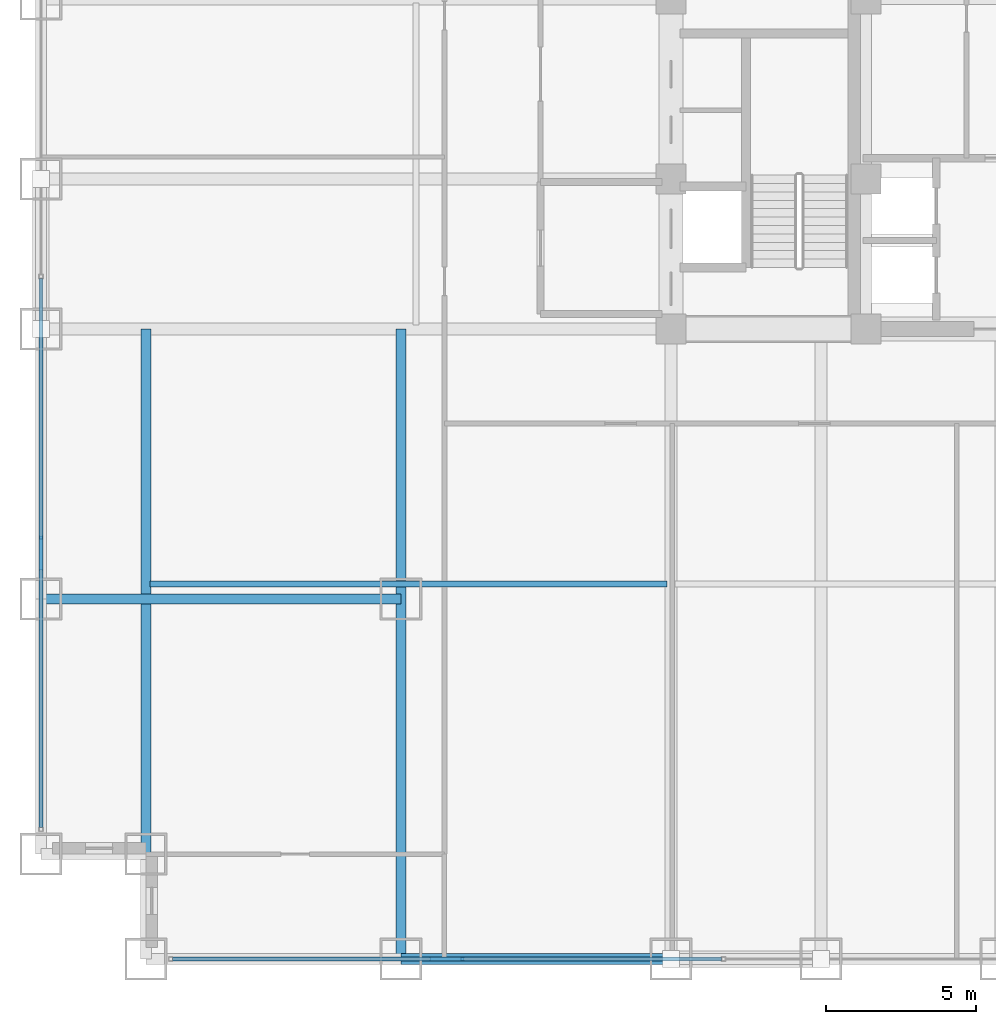
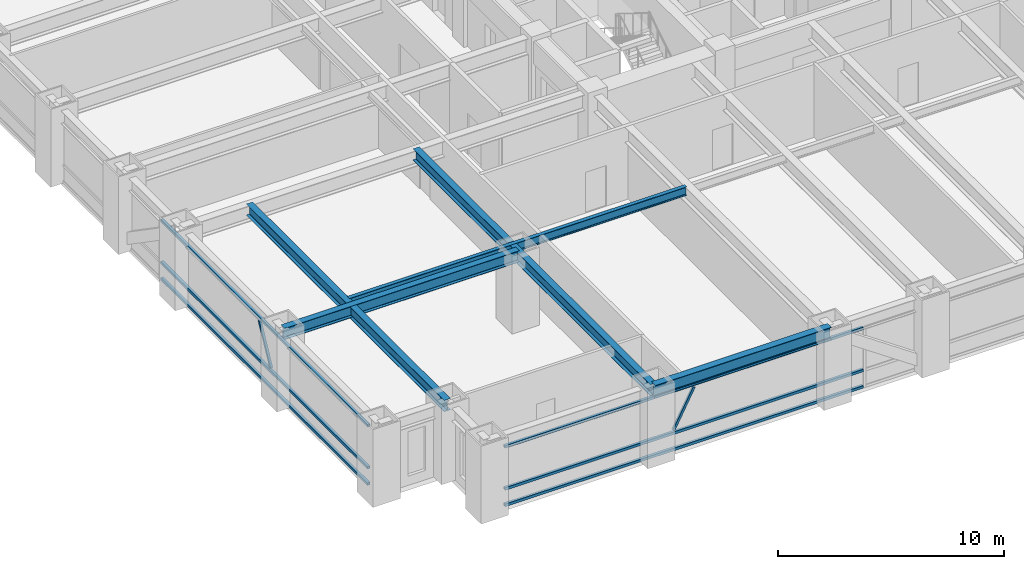
# One storey, part 3 of 27: 8 members, 5 beams, 2 elements without a shape of their own.
"""IFC4 building model written with IfcOpenShell, lengths in metres."""

from ifc_helpers import new_model, si_unit, direction, frame, origin, origin_2d, place, context, subcontext, project, spatial, hollow_rectangle, i_section, extrude, source, transform, mapped, material, material_profile, profile_set, type_object, element, aggregate, save


model = new_model("IFC4")

# Units and contexts
model_context = context("Model", 3, precision=1e-05, world=origin(), true_north=direction((0.0, 1.0)))
body_context = subcontext(model_context, "Body", "Model", "MODEL_VIEW")
ifc_project = project(units=[si_unit("LENGTHUNIT", "METRE"), si_unit("AREAUNIT", "SQUARE_METRE"), si_unit("VOLUMEUNIT", "CUBIC_METRE"), si_unit("PLANEANGLEUNIT", "RADIAN"), si_unit("MASSUNIT", "GRAM", prefix="KILO")], contexts=[model_context])

# Site, building, storey
site_placement = place(None, origin())
site = spatial("IfcSite", under=ifc_project, at=site_placement, CompositionType="ELEMENT")
building_placement = place(site_placement, origin())
building = spatial("IfcBuilding", under=site, at=building_placement, Name="Khorayat Bourse Tower", CompositionType="ELEMENT")
storey_placement = place(building_placement, frame((0.0, 0.0, 49.39990234375)))
storey = spatial("IfcBuildingStorey", under=building, at=storey_placement, Name="L10", CompositionType="ELEMENT", Elevation=49.39990234375)

# Beams
ifc_material_1 = material(Name="Steel ASTM A992 Grade 50", Category="steel")
ifc_material_profile_1 = material_profile(ifc_material_1, i_section(OverallWidth=0.35498046875, OverallDepth=0.695068359375, WebThickness=0.015380859375, FlangeThickness=0.02490234375, FilletRadius=0.01806640625, at=origin_2d()), Name="W690X217")
ifc_profile_set_1 = profile_set([ifc_material_profile_1], Name="Steel ASTM A992 Grade 50")
beam_type_1 = type_object("IfcBeamType", Name="BM-SPAN-690", PredefinedType="SPANDREL", material=ifc_profile_set_1)
shared_shape_1 = source(origin(), body_context, "Body", "SweptSolid", [
    extrude(i_section(OverallWidth=0.35498046875, OverallDepth=0.695068359375, WebThickness=0.015380859375, FlangeThickness=0.02490234375, FilletRadius=0.01806640625, at=origin_2d()), origin(), (0.0, 0.0, 1.0), 9.0),
])
beam_1_placement = place(storey_placement, frame((-20.0, -32.0, 3.592529296875), z_axis=(1.0, 0.0, 0.0), x_axis=(0.0, 1.0, 0.0)))
element("IfcBeam", 1, at=beam_1_placement, inside=storey, type_object=beam_type_1, Name="L10 BM-SPAN-690 BM-L10-SPN-025", PredefinedType="SPANDREL", context=body_context, shape_type="MappedRepresentation", body=[
    mapped(shared_shape_1, transform((0.0, 0.0, 0.0), scale=1.0)),
])
ifc_material_profile_2 = material_profile(ifc_material_1, i_section(OverallWidth=0.324951171875, OverallDepth=0.615966796875, WebThickness=0.013916015625, FlangeThickness=0.021484375, FilletRadius=0.01611328125, at=origin_2d()), Name="W610X174")
ifc_profile_set_2 = profile_set([ifc_material_profile_2], Name="Steel ASTM A992 Grade 50")
beam_type_2 = type_object("IfcBeamType", Name="BM-GIRD-610", PredefinedType="BEAM", material=ifc_profile_set_2)
shared_shape_2 = source(origin(), body_context, "Body", "SweptSolid", [
    extrude(i_section(OverallWidth=0.324951171875, OverallDepth=0.615966796875, WebThickness=0.013916015625, FlangeThickness=0.021484375, FilletRadius=0.01611328125, at=origin_2d()), origin(), (0.0, 0.0, 1.0), 21.0),
])
beam_2_placement = place(storey_placement, frame((-20.0, -32.0, 3.632080078125), z_axis=(0.0, 1.0, 0.0), x_axis=(-1.0, 0.0, 0.0)))
element("IfcBeam", 2, at=beam_2_placement, inside=storey, type_object=beam_type_2, Name="L10 BM-GIRD-610 BM-L10-CNRY-084", PredefinedType="BEAM", context=body_context, shape_type="MappedRepresentation", body=[
    mapped(shared_shape_2, transform((0.0, 0.0, 0.0), scale=1.0)),
])
shared_shape_3 = source(origin(), body_context, "Body", "SweptSolid", [
    extrude(i_section(OverallWidth=0.324951171875, OverallDepth=0.615966796875, WebThickness=0.013916015625, FlangeThickness=0.021484375, FilletRadius=0.01611328125, at=origin_2d()), origin(), (0.0, 0.0, 1.0), 17.5),
])
beam_3_placement = place(storey_placement, frame((-28.5, -28.5, 3.632080078125), z_axis=(0.0, 1.0, 0.0), x_axis=(-1.0, 0.0, 0.0)))
element("IfcBeam", 3, at=beam_3_placement, inside=storey, type_object=beam_type_2, Name="L10 BM-GIRD-610 BM-L10-CNRY-088", PredefinedType="BEAM", context=body_context, shape_type="MappedRepresentation", body=[
    mapped(shared_shape_3, transform((0.0, 0.0, 0.0), scale=1.0)),
])
shared_shape_4 = source(origin(), body_context, "Body", "SweptSolid", [
    extrude(i_section(OverallWidth=0.324951171875, OverallDepth=0.615966796875, WebThickness=0.013916015625, FlangeThickness=0.021484375, FilletRadius=0.01611328125, at=origin_2d()), origin(), (0.0, 0.0, 1.0), 12.0),
])
beam_4_placement = place(storey_placement, frame((-32.0, -20.0, 3.632080078125), z_axis=(1.0, 0.0, 0.0), x_axis=(0.0, 1.0, 0.0)))
element("IfcBeam", 4, at=beam_4_placement, inside=storey, type_object=beam_type_2, Name="L10 BM-GIRD-610 BM-L10-CNRX-093", PredefinedType="BEAM", context=body_context, shape_type="MappedRepresentation", body=[
    mapped(shared_shape_4, transform((0.0, 0.0, 0.0), scale=1.0)),
])
ifc_material_profile_3 = material_profile(ifc_material_1, i_section(OverallWidth=0.194091796875, OverallDepth=0.468994140625, WebThickness=0.0126953125, FlangeThickness=0.0205078125, FilletRadius=0.012939453125, at=origin_2d()), Name="W460X106")
ifc_profile_set_3 = profile_set([ifc_material_profile_3], Name="Steel ASTM A992 Grade 50")
beam_type_3 = type_object("IfcBeamType", Name="BM-JOIST-460", PredefinedType="JOIST", material=ifc_profile_set_3)
shared_shape_5 = source(origin(), body_context, "Body", "SweptSolid", [
    extrude(i_section(OverallWidth=0.194091796875, OverallDepth=0.468994140625, WebThickness=0.0126953125, FlangeThickness=0.0205078125, FilletRadius=0.012939453125, at=origin_2d()), origin(), (0.0, 0.0, 1.0), 17.240234375),
])
beam_5_placement = place(storey_placement, frame((-28.3701171875, -19.5, 3.70556640625), z_axis=(1.0, 0.0, 0.0), x_axis=(0.0, 1.0, 0.0)))
element("IfcBeam", 5, at=beam_5_placement, inside=storey, type_object=beam_type_3, Name="L10 BM-JOIST-460 BM-L10-JSTX-096", PredefinedType="JOIST", context=body_context, shape_type="MappedRepresentation", body=[
    mapped(shared_shape_5, transform((0.0, 0.0, 0.0), scale=1.0)),
])

# Curtain wall, members
ifc_material_2 = material(Name="Aluminium EN AW-6063 T6", Category="aluminium")
curtain_wall_type = type_object("IfcCurtainWallType", Name="CW-SYS-02", PredefinedType="NOTDEFINED", material=ifc_material_2)
curtain_wall_1_placement = place(storey_placement, origin())
curtain_wall_1 = element("IfcCurtainWall", 6, at=curtain_wall_1_placement, inside=storey, type_object=curtain_wall_type, Name="L10 Curtain Wall CW-L10-S1", PredefinedType="NOTDEFINED")
ifc_material_profile_4 = material_profile(ifc_material_2, hollow_rectangle(XDim=0.139892578125, YDim=0.139892578125, WallThickness=0.006103515625, at=origin_2d()), Name="ALU 140x140x6")
ifc_profile_set_4 = profile_set([ifc_material_profile_4], Name="Aluminium EN AW-6063 T6")
member_type_1 = type_object("IfcMemberType", Name="CWT-HORZ-140", PredefinedType="USERDEFINED", material=ifc_profile_set_4)
shared_shape_6 = source(origin(), body_context, "Body", "SweptSolid", [
    extrude(hollow_rectangle(XDim=0.139892578125, YDim=0.139892578125, WallThickness=0.006103515625, at=origin_2d()), origin(), (0.0, 0.0, 1.0), 18.2900390625),
])
member_1_placement = place(storey_placement, frame((-27.610107421875, -32.0, 0.070068359375), z_axis=(1.0, 0.0, 0.0), x_axis=(0.0, 1.0, 0.0)))
member_1 = element("IfcMember", 7, at=member_1_placement, type_object=member_type_1, Name="CW-L10-S1 Horizontal Transom 1-1", ObjectType="TRANSOM", PredefinedType="USERDEFINED", context=body_context, shape_type="MappedRepresentation", body=[
    mapped(shared_shape_6, transform((0.0, 0.0, 0.0), scale=1.0)),
])
member_2_placement = place(storey_placement, frame((-27.610107421875, -32.0, 0.9501953125), z_axis=(1.0, 0.0, 0.0), x_axis=(0.0, 1.0, 0.0)))
member_2 = element("IfcMember", 8, at=member_2_placement, type_object=member_type_1, Name="CW-L10-S1 Horizontal Transom 1-2", ObjectType="TRANSOM", PredefinedType="USERDEFINED", context=body_context, shape_type="MappedRepresentation", body=[
    mapped(shared_shape_6, transform((0.0, 0.0, 0.0), scale=1.0)),
])
member_3_placement = place(storey_placement, frame((-27.610107421875, -32.0, 3.22021484375), z_axis=(1.0, 0.0, 0.0), x_axis=(0.0, 1.0, 0.0)))
member_3 = element("IfcMember", 9, at=member_3_placement, type_object=member_type_1, Name="CW-L10-S1 Horizontal Transom 1-3", ObjectType="TRANSOM", PredefinedType="USERDEFINED", context=body_context, shape_type="MappedRepresentation", body=[
    mapped(shared_shape_6, transform((0.0, 0.0, 0.0), scale=1.0)),
])

curtain_wall_2_placement = place(storey_placement, origin())
curtain_wall_2 = element("IfcCurtainWall", 10, at=curtain_wall_2_placement, inside=storey, type_object=curtain_wall_type, Name="L10 Curtain Wall CW-L10-W1", PredefinedType="NOTDEFINED")
member_4_placement = place(storey_placement, frame((-32.0, -27.610107421875, 0.070068359375), z_axis=(0.0, 1.0, 0.0), x_axis=(-1.0, 0.0, 0.0)))
member_4 = element("IfcMember", 11, at=member_4_placement, type_object=member_type_1, Name="CW-L10-W1 Horizontal Transom 1-1", ObjectType="TRANSOM", PredefinedType="USERDEFINED", context=body_context, shape_type="MappedRepresentation", body=[
    mapped(shared_shape_6, transform((0.0, 0.0, 0.0), scale=1.0)),
])
member_5_placement = place(storey_placement, frame((-32.0, -27.610107421875, 0.9501953125), z_axis=(0.0, 1.0, 0.0), x_axis=(-1.0, 0.0, 0.0)))
member_5 = element("IfcMember", 12, at=member_5_placement, type_object=member_type_1, Name="CW-L10-W1 Horizontal Transom 1-2", ObjectType="TRANSOM", PredefinedType="USERDEFINED", context=body_context, shape_type="MappedRepresentation", body=[
    mapped(shared_shape_6, transform((0.0, 0.0, 0.0), scale=1.0)),
])
member_6_placement = place(storey_placement, frame((-32.0, -27.610107421875, 3.22021484375), z_axis=(0.0, 1.0, 0.0), x_axis=(-1.0, 0.0, 0.0)))
member_6 = element("IfcMember", 13, at=member_6_placement, type_object=member_type_1, Name="CW-L10-W1 Horizontal Transom 1-3", ObjectType="TRANSOM", PredefinedType="USERDEFINED", context=body_context, shape_type="MappedRepresentation", body=[
    mapped(shared_shape_6, transform((0.0, 0.0, 0.0), scale=1.0)),
])

# Member
ifc_material_profile_5 = material_profile(ifc_material_2, hollow_rectangle(XDim=0.1201171875, YDim=0.1201171875, WallThickness=0.0048828125, at=origin_2d()), Name="ALU 120x120x5")
ifc_profile_set_5 = profile_set([ifc_material_profile_5], Name="Aluminium EN AW-6063 T6")
member_type_2 = type_object("IfcMemberType", Name="CWM-DIAG-120", PredefinedType="MULLION", material=ifc_profile_set_5)
shared_shape_7 = source(origin(), body_context, "Body", "SweptSolid", [
    extrude(hollow_rectangle(XDim=0.1201171875, YDim=0.1201171875, WallThickness=0.0048828125, at=origin_2d()), origin(), (0.0, 0.0, 1.0), 2.22607421875),
])
member_7_placement = place(storey_placement, frame((-18.9833984375, -32.0, 1.10009765625), z_axis=(0.465759992596, 0.0, 0.884911085532), x_axis=(0.0, 1.0, 0.0)))
member_7 = element("IfcMember", 14, at=member_7_placement, type_object=member_type_2, Name="CW-L10-S1 Faceted Diagonal Mullion 1", PredefinedType="MULLION", context=body_context, shape_type="MappedRepresentation", body=[
    mapped(shared_shape_7, transform((0.0, 0.0, 0.0), scale=1.0)),
])

aggregate(curtain_wall_1, [member_1, member_2, member_3, member_7])

member_8_placement = place(storey_placement, frame((-32.0, -18.9833984375, 1.10009765625), z_axis=(0.0, 0.465759992596, 0.884911085532), x_axis=(-1.0, 0.0, 0.0)))
member_8 = element("IfcMember", 15, at=member_8_placement, type_object=member_type_2, Name="CW-L10-W1 Faceted Diagonal Mullion 1", PredefinedType="MULLION", context=body_context, shape_type="MappedRepresentation", body=[
    mapped(shared_shape_7, transform((0.0, 0.0, 0.0), scale=1.0)),
])

aggregate(curtain_wall_2, [member_4, member_5, member_6, member_8])

save(model, "model.ifc")
